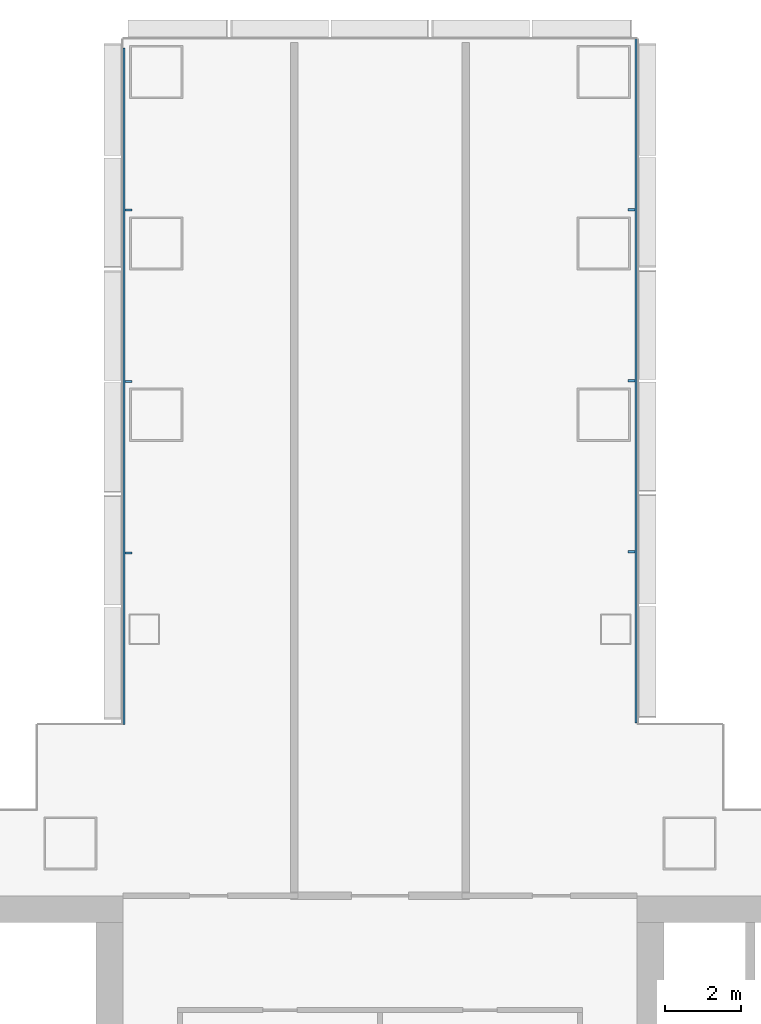
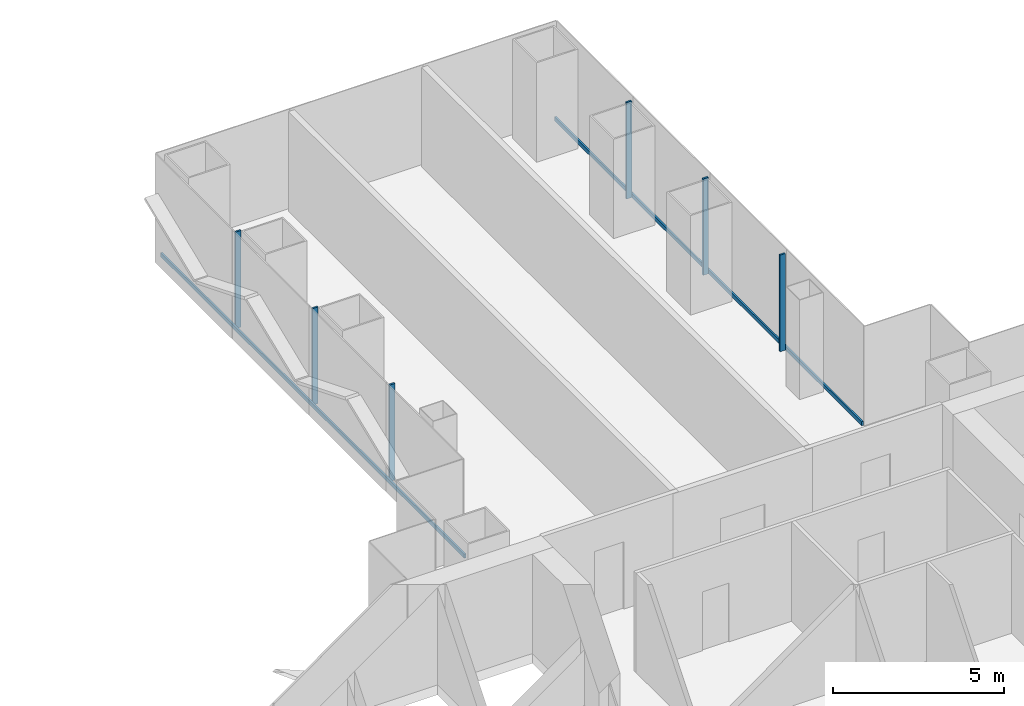
# One storey, part 9 of 21: 8 members, 2 elements without a shape of their own.
"""IFC4 building model written with IfcOpenShell, lengths in metres."""

from ifc_helpers import new_model, si_unit, direction, frame, origin, origin_2d, place, context, subcontext, project, spatial, rectangle, extrude, material, layer, layer_set, material_profile, profile_set, type_object, element, aggregate, save


model = new_model("IFC4")

# Units and contexts
model_context = context("Model", 3, precision=1e-05, world=origin(), true_north=direction((0.0, 1.0)))
body_context = subcontext(model_context, "Body", "Model", "MODEL_VIEW")
ifc_project = project(units=[si_unit("LENGTHUNIT", "METRE"), si_unit("AREAUNIT", "SQUARE_METRE"), si_unit("VOLUMEUNIT", "CUBIC_METRE"), si_unit("PLANEANGLEUNIT", "RADIAN"), si_unit("MASSUNIT", "GRAM", prefix="KILO")], contexts=[model_context])

# Site, building, storey
site_placement = place(None, origin())
site = spatial("IfcSite", under=ifc_project, at=site_placement, CompositionType="ELEMENT")
building_placement = place(site_placement, origin())
building = spatial("IfcBuilding", under=site, at=building_placement, Name="Shamsa Quay Exchange Towers", CompositionType="ELEMENT")
storey_placement = place(building_placement, frame((0.0, 0.0, 57.60009765625)))
storey = spatial("IfcBuildingStorey", under=building, at=storey_placement, Name="L12", CompositionType="ELEMENT", Elevation=57.60009765625)

# Curtain wall, members
ifc_material = material(Name="Aluminium EN AW-6063 T6, black anodised", Category="aluminium")
ifc_layer = layer(ifc_material, 0.280029296875)
ifc_layer_set = layer_set([ifc_layer], Name="CW-1 UNITISED VISION GLASS")
curtain_wall_type = type_object("IfcCurtainWallType", Name="CW-1 UNITISED VISION GLASS", PredefinedType="NOTDEFINED", material=ifc_layer_set)
curtain_wall_1_placement = place(storey_placement, origin())
curtain_wall_1 = element("IfcCurtainWall", 1, at=curtain_wall_1_placement, inside=storey, type_object=curtain_wall_type, Name="CW1 T2-FLK-U+S L12", PredefinedType="NOTDEFINED")
ifc_material_profile_1 = material_profile(ifc_material, rectangle(XDim=0.179931640625, YDim=0.06005859375, at=origin_2d()), Name="MU60x180")
ifc_profile_set_1 = profile_set([ifc_material_profile_1], Name="Aluminium EN AW-6063 T6, black anodised")
member_type_1 = type_object("IfcMemberType", Name="CW1 MULLION 60x180", PredefinedType="MULLION", material=ifc_profile_set_1)
member_1_placement = place(storey_placement, frame((40.35009765625, 15.778564453125, 0.0), z_axis=(0.0, 0.0, 1.0), x_axis=(-1.0, 0.0, 0.0)))
member_1 = element("IfcMember", 2, at=member_1_placement, type_object=member_type_1, Name="CW1 mullion", PredefinedType="MULLION", context=body_context, shape_type="SweptSolid", body=[
    extrude(rectangle(XDim=0.179931640625, YDim=0.06005859375, at=origin_2d()), origin(), (0.0, 0.0, 1.0), 3.449951171875),
])
member_2_placement = place(storey_placement, frame((40.35009765625, 20.26904296875, 0.0), z_axis=(0.0, 0.0, 1.0), x_axis=(-1.0, 0.0, 0.0)))
member_2 = element("IfcMember", 3, at=member_2_placement, type_object=member_type_1, Name="CW1 mullion", PredefinedType="MULLION", context=body_context, shape_type="SweptSolid", body=[
    extrude(rectangle(XDim=0.179931640625, YDim=0.06005859375, at=origin_2d()), origin(), (0.0, 0.0, 1.0), 3.449951171875),
])
member_3_placement = place(storey_placement, frame((40.35009765625, 24.759521484375, 0.0), z_axis=(0.0, 0.0, 1.0), x_axis=(-1.0, 0.0, 0.0)))
member_3 = element("IfcMember", 4, at=member_3_placement, type_object=member_type_1, Name="CW1 mullion", PredefinedType="MULLION", context=body_context, shape_type="SweptSolid", body=[
    extrude(rectangle(XDim=0.179931640625, YDim=0.06005859375, at=origin_2d()), origin(), (0.0, 0.0, 1.0), 3.449951171875),
])

curtain_wall_2_placement = place(storey_placement, origin())
curtain_wall_2 = element("IfcCurtainWall", 5, at=curtain_wall_2_placement, inside=storey, type_object=curtain_wall_type, Name="CW1 T2-FLK-U+N L12", PredefinedType="NOTDEFINED")
member_4_placement = place(storey_placement, frame((27.14990234375, 24.75, 0.0)))
member_4 = element("IfcMember", 6, at=member_4_placement, type_object=member_type_1, Name="CW1 mullion", PredefinedType="MULLION", context=body_context, shape_type="SweptSolid", body=[
    extrude(rectangle(XDim=0.179931640625, YDim=0.06005859375, at=origin_2d()), origin(), (0.0, 0.0, 1.0), 3.449951171875),
])
member_5_placement = place(storey_placement, frame((27.14990234375, 20.25, 0.0)))
member_5 = element("IfcMember", 7, at=member_5_placement, type_object=member_type_1, Name="CW1 mullion", PredefinedType="MULLION", context=body_context, shape_type="SweptSolid", body=[
    extrude(rectangle(XDim=0.179931640625, YDim=0.06005859375, at=origin_2d()), origin(), (0.0, 0.0, 1.0), 3.449951171875),
])
member_6_placement = place(storey_placement, frame((27.14990234375, 15.75, 0.0)))
member_6 = element("IfcMember", 8, at=member_6_placement, type_object=member_type_1, Name="CW1 mullion", PredefinedType="MULLION", context=body_context, shape_type="SweptSolid", body=[
    extrude(rectangle(XDim=0.179931640625, YDim=0.06005859375, at=origin_2d()), origin(), (0.0, 0.0, 1.0), 3.449951171875),
])

# Member
ifc_material_profile_2 = material_profile(ifc_material, rectangle(XDim=0.06005859375, YDim=0.139892578125, at=origin_2d()), Name="TR140x60")
ifc_profile_set_2 = profile_set([ifc_material_profile_2], Name="Aluminium EN AW-6063 T6, black anodised")
member_type_2 = type_object("IfcMemberType", Name="CW1 TRANSOM 140x60", PredefinedType="USERDEFINED", material=ifc_profile_set_2)
member_7_placement = place(storey_placement, frame((40.469970703125, 11.2880859375, 0.06982421875), z_axis=(0.0, 1.0, 0.0), x_axis=(-1.0, 0.0, 0.0)))
member_7 = element("IfcMember", 9, at=member_7_placement, type_object=member_type_2, Name="CW1 transom", ObjectType="TRANSOM", PredefinedType="USERDEFINED", context=body_context, shape_type="SweptSolid", body=[
    extrude(rectangle(XDim=0.06005859375, YDim=0.139892578125, at=origin_2d()), origin(), (0.0, 0.0, 1.0), 17.9619140625),
])

aggregate(curtain_wall_1, [member_7, member_1, member_2, member_3])

member_8_placement = place(storey_placement, frame((27.030029296875, 29.008056640625, 0.06982421875), z_axis=(0.0, -1.0, 0.0), x_axis=(1.0, 0.0, 0.0)))
member_8 = element("IfcMember", 10, at=member_8_placement, type_object=member_type_2, Name="CW1 transom", ObjectType="TRANSOM", PredefinedType="USERDEFINED", context=body_context, shape_type="SweptSolid", body=[
    extrude(rectangle(XDim=0.06005859375, YDim=0.139892578125, at=origin_2d()), origin(), (0.0, 0.0, 1.0), 17.758056640625),
])

aggregate(curtain_wall_2, [member_8, member_4, member_5, member_6])

save(model, "model.ifc")
